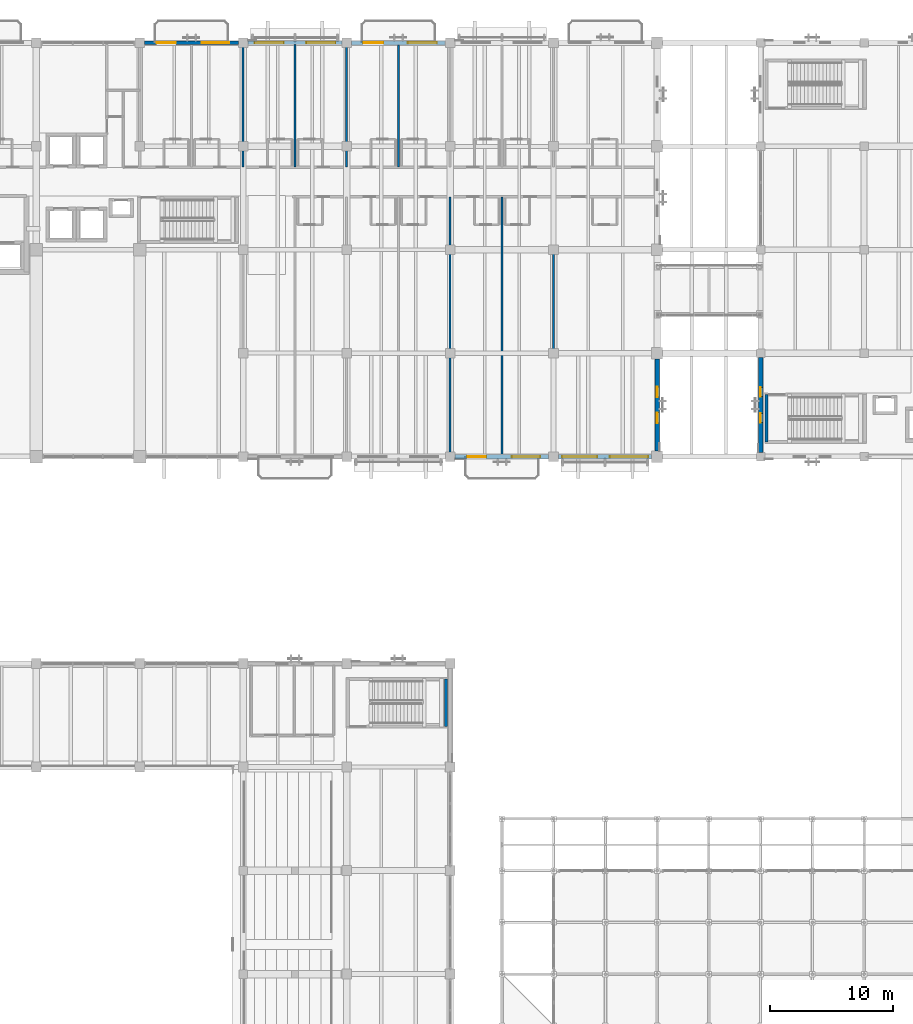
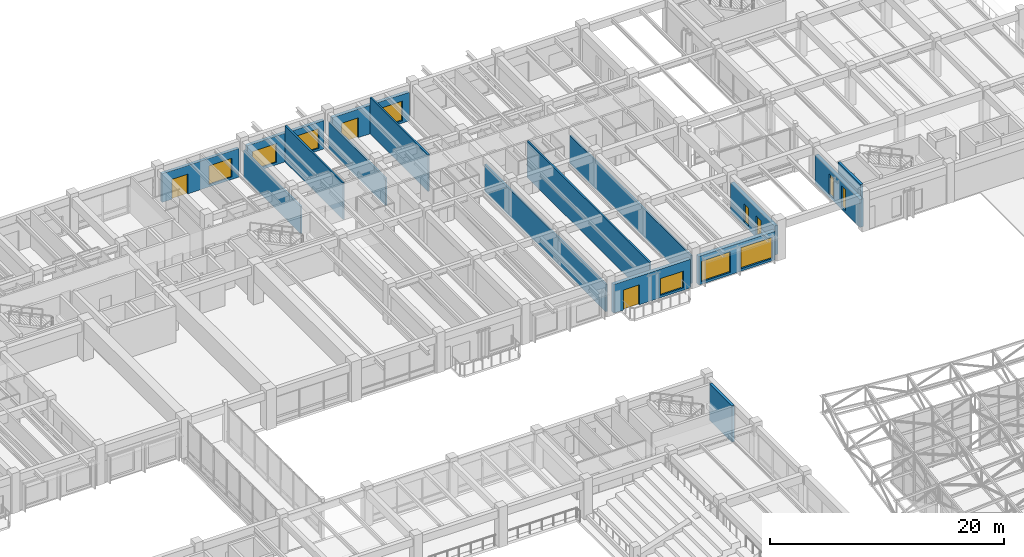
# One storey, part 90 of 132: 16 walls, 11 windows, 3 doors, 14 openings.
"""IFC4 building model written with IfcOpenShell, lengths in metres."""

from ifc_helpers import new_model, si_unit, direction, frame, frame_2d, origin, place, context, subcontext, project, spatial, rectangle, extrude, material, layer, layer_set, type_object, element, fill, save


model = new_model("IFC4")

# Units and contexts
model_context = context("Model", 3, precision=1e-05, world=origin(), true_north=direction((0.0, 1.0)))
body_context = subcontext(model_context, "Body", "Model", "MODEL_VIEW")
ifc_project = project(units=[si_unit("LENGTHUNIT", "METRE"), si_unit("AREAUNIT", "SQUARE_METRE"), si_unit("VOLUMEUNIT", "CUBIC_METRE"), si_unit("PLANEANGLEUNIT", "RADIAN"), si_unit("MASSUNIT", "GRAM", prefix="KILO")], contexts=[model_context])

# Site, building, storey
site_placement = place(None, origin())
site = spatial("IfcSite", under=ifc_project, at=site_placement, CompositionType="ELEMENT")
building_placement = place(site_placement, origin())
building = spatial("IfcBuilding", under=site, at=building_placement, Name="Cumbredor Promenade Congress Hotel", CompositionType="ELEMENT")
storey_placement = place(building_placement, frame((0.0, 0.0, 7.56005859375)))
storey = spatial("IfcBuildingStorey", under=building, at=storey_placement, Name="L02", CompositionType="ELEMENT", Elevation=7.56005859375)

# Wall, openings, door, window
ifc_material_1 = material(Name="Concrete C40/50", Category="concrete")
ifc_layer_1 = layer(ifc_material_1, 0.280029296875, Name="Concrete C40/50", Category="concrete")
ifc_layer_set_1 = layer_set([ifc_layer_1], Name="Concrete C40/50")
wall_type_1 = type_object("IfcWallType", Name="WL-EXT-280", PredefinedType="SOLIDWALL", material=ifc_layer_set_1)
wall_1_placement = place(storey_placement, frame((42.40087890625, 117.60009765625, 0.0), z_axis=(0.0, 0.0, 1.0), x_axis=(1.0, 0.0, 0.0)))
wall_1 = element("IfcWall", 1, at=wall_1_placement, inside=storey, type_object=wall_type_1, Name="L02 Stepped Congress Hotel Wing North Envelope Wall 6", PredefinedType="SOLIDWALL", context=body_context, shape_type="SweptSolid", body=[
    extrude(rectangle(XDim=7.59814453125, YDim=0.280029296875, at=frame_2d((3.799072265625, 0.0))), origin(), (0.0, 0.0, 1.0), 2.98486328125),
])
opening_1_placement = place(wall_1_placement, frame((0.97412109375, 0.0, 0.0)))
opening_1 = element("IfcOpeningElement", 2, at=opening_1_placement, cuts=wall_1, Name="Opening TD-01", PredefinedType="OPENING", context=body_context, shape_type="SweptSolid", body=[
    extrude(rectangle(XDim=1.550048828125, YDim=2.080078125, at=frame_2d((0.77490234375, 1.0400390625))), frame((0.0, 0.14990234375, 0.0), z_axis=(0.0, -1.0, 0.0), x_axis=(1.0, 0.0, 0.0)), (0.0, 0.0, 1.0), 0.300048828125),
])
opening_2_placement = place(wall_1_placement, frame((4.6240234375, 0.0, 0.25)))
opening_2 = element("IfcOpeningElement", 3, at=opening_2_placement, cuts=wall_1, Name="Opening WN-07", PredefinedType="OPENING", context=body_context, shape_type="SweptSolid", body=[
    extrude(rectangle(XDim=2.25, YDim=1.949951171875, at=frame_2d((1.125, 0.97509765625))), frame((0.0, 0.14990234375, 0.0), z_axis=(0.0, -1.0, 0.0), x_axis=(1.0, 0.0, 0.0)), (0.0, 0.0, 1.0), 0.300048828125),
])
ifc_material_2 = material(Name="Thermally broken anodized aluminium and laminated safety glass", Category="aluminium")
door_type_1 = type_object("IfcDoorType", Name="EXT-DR-TER-1550x2080", OperationType="DOUBLE_DOOR_SINGLE_SWING", PredefinedType="DOOR", material=ifc_material_2)
door_1_placement = place(opening_1_placement, origin())
door_1 = element("IfcDoor", 4, at=door_1_placement, inside=storey, type_object=door_type_1, Name="L02 Guestroom Veranda Balcony Door 039", OperationType="DOUBLE_DOOR_SINGLE_SWING", OverallHeight=2.080078125, OverallWidth=1.550048828125, PredefinedType="DOOR", context=body_context, shape_type="SweptSolid", body=[
    extrude(rectangle(XDim=1.550048828125, YDim=2.080078125, at=frame_2d((0.77490234375, 1.0400390625))), frame((0.0, 0.02490234375, 0.0), z_axis=(0.0, -1.0, 0.0), x_axis=(1.0, 0.0, 0.0)), (0.0, 0.0, 1.0), 0.050048828125),
])
fill(opening_1, door_1)
ifc_material_3 = material(Name="Thermally broken anodized aluminium and low-E glass", Category="aluminium")
window_type_1 = type_object("IfcWindowType", Name="Hospitality Floor-to-Ceiling Window WN-07 2250x1950", PartitioningType="DOUBLE_PANEL_VERTICAL", PredefinedType="WINDOW", material=ifc_material_3)
window_1_placement = place(opening_2_placement, origin())
window_1 = element("IfcWindow", 5, at=window_1_placement, inside=storey, type_object=window_type_1, Name="L02 Veranda Companion Floor-to-Ceiling Window 0315", OverallHeight=1.949951171875, OverallWidth=2.25, PartitioningType="DOUBLE_PANEL_VERTICAL", PredefinedType="WINDOW", context=body_context, shape_type="SweptSolid", body=[
    extrude(rectangle(XDim=2.25, YDim=1.949951171875, at=frame_2d((1.125, 0.97509765625))), frame((0.0, 0.030029296875, 0.0), z_axis=(0.0, -1.0, 0.0), x_axis=(1.0, 0.0, 0.0)), (0.0, 0.0, 1.0), 0.06005859375),
])
fill(opening_2, window_1)

# Wall, openings, windows
ifc_layer_2 = layer(ifc_material_1, 0.300048828125, Name="Concrete C40/50", Category="concrete")
ifc_layer_set_2 = layer_set([ifc_layer_2], Name="Concrete C40/50")
wall_type_2 = type_object("IfcWallType", Name="WL-EXT-300", PredefinedType="SOLIDWALL", material=ifc_layer_set_2)
wall_2_placement = place(storey_placement, frame((50.801025390625, 117.60009765625, 0.0), z_axis=(0.0, 0.0, 1.0), x_axis=(1.0, 0.0, 0.0)))
wall_2 = element("IfcWall", 6, at=wall_2_placement, inside=storey, type_object=wall_type_2, Name="L02 Stepped Congress Hotel Wing North Envelope Wall 7", PredefinedType="SOLIDWALL", context=body_context, shape_type="SweptSolid", body=[
    extrude(rectangle(XDim=7.597900390625, YDim=0.300048828125, at=frame_2d((3.798828125, 0.0))), origin(), (0.0, 0.0, 1.0), 2.98486328125),
])
opening_3_placement = place(wall_2_placement, frame((0.52392578125, 0.0, 0.25)))
opening_3 = element("IfcOpeningElement", 7, at=opening_3_placement, cuts=wall_2, Name="Opening WN-08", PredefinedType="OPENING", context=body_context, shape_type="SweptSolid", body=[
    extrude(rectangle(XDim=2.35009765625, YDim=1.949951171875, at=frame_2d((1.175048828125, 0.97509765625))), frame((0.0, 0.16015625, 0.0), z_axis=(0.0, -1.0, 0.0), x_axis=(1.0, 0.0, 0.0)), (0.0, 0.0, 1.0), 0.320068359375),
])
opening_4_placement = place(wall_2_placement, frame((4.72412109375, 0.0, 0.25)))
opening_4 = element("IfcOpeningElement", 8, at=opening_4_placement, cuts=wall_2, Name="Opening WN-14", PredefinedType="OPENING", context=body_context, shape_type="SweptSolid", body=[
    extrude(rectangle(XDim=2.35009765625, YDim=2.050048828125, at=frame_2d((1.175048828125, 1.02490234375))), frame((0.0, 0.16015625, 0.0), z_axis=(0.0, -1.0, 0.0), x_axis=(1.0, 0.0, 0.0)), (0.0, 0.0, 1.0), 0.320068359375),
])
window_type_2 = type_object("IfcWindowType", Name="Hospitality Floor-to-Ceiling Window WN-08 2350x1950", PartitioningType="DOUBLE_PANEL_VERTICAL", PredefinedType="WINDOW", material=ifc_material_3)
window_2_placement = place(opening_3_placement, origin())
window_2 = element("IfcWindow", 9, at=window_2_placement, inside=storey, type_object=window_type_2, Name="L02 Wide Hospitality Window 0316", OverallHeight=1.949951171875, OverallWidth=2.35009765625, PartitioningType="DOUBLE_PANEL_VERTICAL", PredefinedType="WINDOW", context=body_context, shape_type="SweptSolid", body=[
    extrude(rectangle(XDim=2.35009765625, YDim=1.949951171875, at=frame_2d((1.175048828125, 0.97509765625))), frame((0.0, 0.030029296875, 0.0), z_axis=(0.0, -1.0, 0.0), x_axis=(1.0, 0.0, 0.0)), (0.0, 0.0, 1.0), 0.06005859375),
])
fill(opening_3, window_2)
window_type_3 = type_object("IfcWindowType", Name="Hospitality Floor-to-Ceiling Window WN-14 2350x2050", PartitioningType="DOUBLE_PANEL_VERTICAL", PredefinedType="WINDOW", material=ifc_material_3)
window_3_placement = place(opening_4_placement, origin())
window_3 = element("IfcWindow", 10, at=window_3_placement, inside=storey, type_object=window_type_3, Name="L02 Wide Hospitality Window 0317", OverallHeight=2.050048828125, OverallWidth=2.35009765625, PartitioningType="DOUBLE_PANEL_VERTICAL", PredefinedType="WINDOW", context=body_context, shape_type="SweptSolid", body=[
    extrude(rectangle(XDim=2.35009765625, YDim=2.050048828125, at=frame_2d((1.175048828125, 1.02490234375))), frame((0.0, 0.030029296875, 0.0), z_axis=(0.0, -1.0, 0.0), x_axis=(1.0, 0.0, 0.0)), (0.0, 0.0, 1.0), 0.06005859375),
])
fill(opening_4, window_3)

# Wall, openings, door, window
ifc_layer_3 = layer(ifc_material_1, 0.324951171875, Name="Concrete C40/50", Category="concrete")
ifc_layer_set_3 = layer_set([ifc_layer_3], Name="Concrete C40/50")
wall_type_3 = type_object("IfcWallType", Name="WL-EXT-325", PredefinedType="SOLIDWALL", material=ifc_layer_set_3)
wall_3_placement = place(storey_placement, frame((59.200927734375, 117.60009765625, 0.0), z_axis=(0.0, 0.0, 1.0), x_axis=(1.0, 0.0, 0.0)))
wall_3 = element("IfcWall", 11, at=wall_3_placement, inside=storey, type_object=wall_type_3, Name="L02 Stepped Congress Hotel Wing North Envelope Wall 8", PredefinedType="SOLIDWALL", context=body_context, shape_type="SweptSolid", body=[
    extrude(rectangle(XDim=7.59814453125, YDim=0.324951171875, at=frame_2d((3.799072265625, 0.0))), origin(), (0.0, 0.0, 1.0), 2.98486328125),
])
opening_5_placement = place(wall_3_placement, frame((0.924072265625, 0.0, 0.0)))
opening_5 = element("IfcOpeningElement", 12, at=opening_5_placement, cuts=wall_3, Name="Opening TD-02", PredefinedType="OPENING", context=body_context, shape_type="SweptSolid", body=[
    extrude(rectangle(XDim=1.64990234375, YDim=2.080078125, at=frame_2d((0.824951171875, 1.0400390625))), frame((0.0, 0.17236328125, 0.0), z_axis=(0.0, -1.0, 0.0), x_axis=(1.0, 0.0, 0.0)), (0.0, 0.0, 1.0), 0.344970703125),
])
opening_6_placement = place(wall_3_placement, frame((4.573974609375, 0.0, 0.25)))
opening_6 = element("IfcOpeningElement", 13, at=opening_6_placement, cuts=wall_3, Name="Opening WN-14", PredefinedType="OPENING", context=body_context, shape_type="SweptSolid", body=[
    extrude(rectangle(XDim=2.35009765625, YDim=2.050048828125, at=frame_2d((1.175048828125, 1.02490234375))), frame((0.0, 0.17236328125, 0.0), z_axis=(0.0, -1.0, 0.0), x_axis=(1.0, 0.0, 0.0)), (0.0, 0.0, 1.0), 0.344970703125),
])
door_type_2 = type_object("IfcDoorType", Name="EXT-DR-TER-1650x2080", OperationType="DOUBLE_DOOR_SINGLE_SWING", PredefinedType="DOOR", material=ifc_material_2)
door_2_placement = place(opening_5_placement, origin())
door_2 = element("IfcDoor", 14, at=door_2_placement, inside=storey, type_object=door_type_2, Name="L02 Guestroom Veranda Balcony Door 040", OperationType="DOUBLE_DOOR_SINGLE_SWING", OverallHeight=2.080078125, OverallWidth=1.64990234375, PredefinedType="DOOR", context=body_context, shape_type="SweptSolid", body=[
    extrude(rectangle(XDim=1.64990234375, YDim=2.080078125, at=frame_2d((0.824951171875, 1.0400390625))), frame((0.0, 0.02490234375, 0.0), z_axis=(0.0, -1.0, 0.0), x_axis=(1.0, 0.0, 0.0)), (0.0, 0.0, 1.0), 0.050048828125),
])
fill(opening_5, door_2)
window_4_placement = place(opening_6_placement, origin())
window_4 = element("IfcWindow", 15, at=window_4_placement, inside=storey, type_object=window_type_3, Name="L02 Veranda Companion Floor-to-Ceiling Window 0318", OverallHeight=2.050048828125, OverallWidth=2.35009765625, PartitioningType="DOUBLE_PANEL_VERTICAL", PredefinedType="WINDOW", context=body_context, shape_type="SweptSolid", body=[
    extrude(rectangle(XDim=2.35009765625, YDim=2.050048828125, at=frame_2d((1.175048828125, 1.02490234375))), frame((0.0, 0.030029296875, 0.0), z_axis=(0.0, -1.0, 0.0), x_axis=(1.0, 0.0, 0.0)), (0.0, 0.0, 1.0), 0.06005859375),
])
fill(opening_6, window_4)

# Wall, openings, windows
ifc_layer_4 = layer(ifc_material_1, 0.35009765625, Name="Concrete C40/50", Category="concrete")
ifc_layer_set_4 = layer_set([ifc_layer_4], Name="Concrete C40/50")
wall_type_4 = type_object("IfcWallType", Name="WL-EXT-350", PredefinedType="SOLIDWALL", material=ifc_layer_set_4)
wall_4_placement = place(storey_placement, frame((92.39990234375, 84.35107421875, 0.0), z_axis=(0.0, 0.0, 1.0), x_axis=(0.0, 1.0, 0.0)))
wall_4 = element("IfcWall", 16, at=wall_4_placement, inside=storey, type_object=wall_type_4, Name="L02 Pre-Function and Breakout Meeting Forum West Envelope Wall 1", PredefinedType="SOLIDWALL", context=body_context, shape_type="SweptSolid", body=[
    extrude(rectangle(XDim=7.697998046875, YDim=0.35009765625, at=frame_2d((3.84912109375, 0.0))), origin(), (0.0, 0.0, 1.0), 2.93505859375),
])
opening_7_placement = place(wall_4_placement, frame((2.424072265625, 0.0, 0.300048828125)))
opening_7 = element("IfcOpeningElement", 17, at=opening_7_placement, cuts=wall_4, Name="Opening WN-57", PredefinedType="OPENING", context=body_context, shape_type="SweptSolid", body=[
    extrude(rectangle(XDim=0.75, YDim=2.14990234375, at=frame_2d((0.375, 1.074951171875))), frame((0.0, 0.18505859375, 0.0), z_axis=(0.0, -1.0, 0.0), x_axis=(1.0, 0.0, 0.0)), (0.0, 0.0, 1.0), 0.3701171875),
])
opening_8_placement = place(wall_4_placement, frame((4.52392578125, 0.0, 0.300048828125)))
opening_8 = element("IfcOpeningElement", 18, at=opening_8_placement, cuts=wall_4, Name="Opening WN-57", PredefinedType="OPENING", context=body_context, shape_type="SweptSolid", body=[
    extrude(rectangle(XDim=0.75, YDim=2.14990234375, at=frame_2d((0.375, 1.074951171875))), frame((0.0, 0.18505859375, 0.0), z_axis=(0.0, -1.0, 0.0), x_axis=(1.0, 0.0, 0.0)), (0.0, 0.0, 1.0), 0.3701171875),
])
window_type_4 = type_object("IfcWindowType", Name="Vertical Slot Window WN-57 750x2150", PartitioningType="SINGLE_PANEL", PredefinedType="WINDOW", material=ifc_material_3)
window_5_placement = place(opening_7_placement, origin())
window_5 = element("IfcWindow", 19, at=window_5_placement, inside=storey, type_object=window_type_4, Name="L02 Vertical Slot Window 0286", OverallHeight=2.14990234375, OverallWidth=0.75, PartitioningType="SINGLE_PANEL", PredefinedType="WINDOW", context=body_context, shape_type="SweptSolid", body=[
    extrude(rectangle(XDim=0.75, YDim=2.14990234375, at=frame_2d((0.375, 1.074951171875))), frame((0.0, 0.030029296875, 0.0), z_axis=(0.0, -1.0, 0.0), x_axis=(1.0, 0.0, 0.0)), (0.0, 0.0, 1.0), 0.06005859375),
])
fill(opening_7, window_5)
window_6_placement = place(opening_8_placement, origin())
window_6 = element("IfcWindow", 20, at=window_6_placement, inside=storey, type_object=window_type_4, Name="L02 Vertical Slot Window 0287", OverallHeight=2.14990234375, OverallWidth=0.75, PartitioningType="SINGLE_PANEL", PredefinedType="WINDOW", context=body_context, shape_type="SweptSolid", body=[
    extrude(rectangle(XDim=0.75, YDim=2.14990234375, at=frame_2d((0.375, 1.074951171875))), frame((0.0, 0.030029296875, 0.0), z_axis=(0.0, -1.0, 0.0), x_axis=(1.0, 0.0, 0.0)), (0.0, 0.0, 1.0), 0.06005859375),
])
fill(opening_8, window_6)

# Wall, openings, door, window
wall_5_placement = place(storey_placement, frame((67.60107421875, 84.0, 0.0), z_axis=(0.0, 0.0, 1.0), x_axis=(1.0, 0.0, 0.0)))
wall_5 = element("IfcWall", 21, at=wall_5_placement, inside=storey, type_object=wall_type_4, Name="L02 Stepped Congress Hotel Wing South Envelope Wall 9", PredefinedType="SOLIDWALL", context=body_context, shape_type="SweptSolid", body=[
    extrude(rectangle(XDim=7.597900390625, YDim=0.35009765625, at=frame_2d((3.798828125, 0.0))), origin(), (0.0, 0.0, 1.0), 2.98486328125),
])
opening_9_placement = place(wall_5_placement, frame((0.97412109375, 0.0, 0.0)))
opening_9 = element("IfcOpeningElement", 22, at=opening_9_placement, cuts=wall_5, Name="Opening TD-01", PredefinedType="OPENING", context=body_context, shape_type="SweptSolid", body=[
    extrude(rectangle(XDim=1.550048828125, YDim=2.080078125, at=frame_2d((0.77490234375, 1.0400390625))), frame((0.0, 0.18505859375, 0.0), z_axis=(0.0, -1.0, 0.0), x_axis=(1.0, 0.0, 0.0)), (0.0, 0.0, 1.0), 0.3701171875),
])
opening_10_placement = place(wall_5_placement, frame((4.59912109375, 0.0, 0.25)))
opening_10 = element("IfcOpeningElement", 23, at=opening_10_placement, cuts=wall_5, Name="Opening WN-25", PredefinedType="OPENING", context=body_context, shape_type="SweptSolid", body=[
    extrude(rectangle(XDim=2.300048828125, YDim=1.75, at=frame_2d((1.14990234375, 0.875))), frame((0.0, 0.18505859375, 0.0), z_axis=(0.0, -1.0, 0.0), x_axis=(1.0, 0.0, 0.0)), (0.0, 0.0, 1.0), 0.3701171875),
])
door_3_placement = place(opening_9_placement, frame((1.550048828125, 0.0, 0.0), z_axis=(0.0, 0.0, 1.0), x_axis=(-1.0, 0.0, 0.0)))
door_3 = element("IfcDoor", 24, at=door_3_placement, inside=storey, type_object=door_type_1, Name="L02 Guestroom Veranda Balcony Door 036", OperationType="DOUBLE_DOOR_SINGLE_SWING", OverallHeight=2.080078125, OverallWidth=1.550048828125, PredefinedType="DOOR", context=body_context, shape_type="SweptSolid", body=[
    extrude(rectangle(XDim=1.550048828125, YDim=2.080078125, at=frame_2d((0.77490234375, 1.0400390625))), frame((0.0, 0.02490234375, 0.0), z_axis=(0.0, -1.0, 0.0), x_axis=(1.0, 0.0, 0.0)), (0.0, 0.0, 1.0), 0.050048828125),
])
fill(opening_9, door_3)
window_type_5 = type_object("IfcWindowType", Name="Hospitality Floor-to-Ceiling Window WN-25 2300x1750", PartitioningType="DOUBLE_PANEL_VERTICAL", PredefinedType="WINDOW", material=ifc_material_3)
window_7_placement = place(opening_10_placement, origin())
window_7 = element("IfcWindow", 25, at=window_7_placement, inside=storey, type_object=window_type_5, Name="L02 Veranda Companion Floor-to-Ceiling Window 0306", OverallHeight=1.75, OverallWidth=2.300048828125, PartitioningType="DOUBLE_PANEL_VERTICAL", PredefinedType="WINDOW", context=body_context, shape_type="SweptSolid", body=[
    extrude(rectangle(XDim=2.300048828125, YDim=1.75, at=frame_2d((1.14990234375, 0.875))), frame((0.0, 0.030029296875, 0.0), z_axis=(0.0, -1.0, 0.0), x_axis=(1.0, 0.0, 0.0)), (0.0, 0.0, 1.0), 0.06005859375),
])
fill(opening_10, window_7)

# Wall, openings, windows
wall_6_placement = place(storey_placement, frame((84.0, 84.450927734375, 0.0), z_axis=(0.0, 0.0, 1.0), x_axis=(0.0, 1.0, 0.0)))
wall_6 = element("IfcWall", 26, at=wall_6_placement, inside=storey, type_object=wall_type_4, Name="L02 Stepped Congress Hotel Wing East Envelope Wall 1", PredefinedType="SOLIDWALL", context=body_context, shape_type="SweptSolid", body=[
    extrude(rectangle(XDim=7.498046875, YDim=0.35009765625, at=frame_2d((3.7490234375, 0.0))), origin(), (0.0, 0.0, 1.0), 3.034912109375),
])
opening_11_placement = place(wall_6_placement, frame((2.279052734375, 0.0, 0.300048828125)))
opening_11 = element("IfcOpeningElement", 27, at=opening_11_placement, cuts=wall_6, Name="Opening WN-51", PredefinedType="OPENING", context=body_context, shape_type="SweptSolid", body=[
    extrude(rectangle(XDim=0.840087890625, YDim=1.949951171875, at=frame_2d((0.419921875, 0.97509765625))), frame((0.0, 0.18505859375, 0.0), z_axis=(0.0, -1.0, 0.0), x_axis=(1.0, 0.0, 0.0)), (0.0, 0.0, 1.0), 0.3701171875),
])
opening_12_placement = place(wall_6_placement, frame((4.37890625, 0.0, 0.300048828125)))
opening_12 = element("IfcOpeningElement", 28, at=opening_12_placement, cuts=wall_6, Name="Opening WN-51", PredefinedType="OPENING", context=body_context, shape_type="SweptSolid", body=[
    extrude(rectangle(XDim=0.840087890625, YDim=1.949951171875, at=frame_2d((0.419921875, 0.97509765625))), frame((0.0, 0.18505859375, 0.0), z_axis=(0.0, -1.0, 0.0), x_axis=(1.0, 0.0, 0.0)), (0.0, 0.0, 1.0), 0.3701171875),
])
window_type_6 = type_object("IfcWindowType", Name="Vertical Slot Window WN-51 840x1950", PartitioningType="SINGLE_PANEL", PredefinedType="WINDOW", material=ifc_material_3)
window_8_placement = place(opening_11_placement, origin())
window_8 = element("IfcWindow", 29, at=window_8_placement, inside=storey, type_object=window_type_6, Name="L02 Vertical Slot Window 0330", OverallHeight=1.949951171875, OverallWidth=0.840087890625, PartitioningType="SINGLE_PANEL", PredefinedType="WINDOW", context=body_context, shape_type="SweptSolid", body=[
    extrude(rectangle(XDim=0.840087890625, YDim=1.949951171875, at=frame_2d((0.419921875, 0.97509765625))), frame((0.0, 0.030029296875, 0.0), z_axis=(0.0, -1.0, 0.0), x_axis=(1.0, 0.0, 0.0)), (0.0, 0.0, 1.0), 0.06005859375),
])
fill(opening_11, window_8)
window_9_placement = place(opening_12_placement, origin())
window_9 = element("IfcWindow", 30, at=window_9_placement, inside=storey, type_object=window_type_6, Name="L02 Vertical Slot Window 0331", OverallHeight=1.949951171875, OverallWidth=0.840087890625, PartitioningType="SINGLE_PANEL", PredefinedType="WINDOW", context=body_context, shape_type="SweptSolid", body=[
    extrude(rectangle(XDim=0.840087890625, YDim=1.949951171875, at=frame_2d((0.419921875, 0.97509765625))), frame((0.0, 0.030029296875, 0.0), z_axis=(0.0, -1.0, 0.0), x_axis=(1.0, 0.0, 0.0)), (0.0, 0.0, 1.0), 0.06005859375),
])
fill(opening_12, window_9)

ifc_layer_5 = layer(ifc_material_1, 0.3798828125, Name="Concrete C40/50", Category="concrete")
ifc_layer_set_5 = layer_set([ifc_layer_5], Name="Concrete C40/50")
wall_type_5 = type_object("IfcWallType", Name="WL-EXT-380", PredefinedType="SOLIDWALL", material=ifc_layer_set_5)
wall_7_placement = place(storey_placement, frame((76.0009765625, 84.0, 0.0), z_axis=(0.0, 0.0, 1.0), x_axis=(1.0, 0.0, 0.0)))
wall_7 = element("IfcWall", 31, at=wall_7_placement, inside=storey, type_object=wall_type_5, Name="L02 Stepped Congress Hotel Wing South Envelope Wall 10", PredefinedType="SOLIDWALL", context=body_context, shape_type="SweptSolid", body=[
    extrude(rectangle(XDim=7.548095703125, YDim=0.3798828125, at=frame_2d((3.77392578125, 0.0))), origin(), (0.0, 0.0, 1.0), 2.98486328125),
])
opening_13_placement = place(wall_7_placement, frame((0.280029296875, 0.0, 0.25)))
opening_13 = element("IfcOpeningElement", 32, at=opening_13_placement, cuts=wall_7, Name="Opening WN-30", PredefinedType="OPENING", context=body_context, shape_type="SweptSolid", body=[
    extrude(rectangle(XDim=2.85009765625, YDim=2.14990234375, at=frame_2d((1.425048828125, 1.074951171875))), frame((0.0, 0.199951171875, 0.0), z_axis=(0.0, -1.0, 0.0), x_axis=(1.0, 0.0, 0.0)), (0.0, 0.0, 1.0), 0.39990234375),
])
opening_14_placement = place(wall_7_placement, frame((4.16796875, 0.0, 0.25)))
opening_14 = element("IfcOpeningElement", 33, at=opening_14_placement, cuts=wall_7, Name="Opening WN-32", PredefinedType="OPENING", context=body_context, shape_type="SweptSolid", body=[
    extrude(rectangle(XDim=3.10009765625, YDim=2.199951171875, at=frame_2d((1.550048828125, 1.10009765625))), frame((0.0, 0.199951171875, 0.0), z_axis=(0.0, -1.0, 0.0), x_axis=(1.0, 0.0, 0.0)), (0.0, 0.0, 1.0), 0.39990234375),
])
window_type_7 = type_object("IfcWindowType", Name="Hospitality Floor-to-Ceiling Window WN-30 2850x2150", PartitioningType="DOUBLE_PANEL_VERTICAL", PredefinedType="WINDOW", material=ifc_material_3)
window_10_placement = place(opening_13_placement, origin())
window_10 = element("IfcWindow", 34, at=window_10_placement, inside=storey, type_object=window_type_7, Name="L02 Wide Hospitality Window 0307", OverallHeight=2.14990234375, OverallWidth=2.85009765625, PartitioningType="DOUBLE_PANEL_VERTICAL", PredefinedType="WINDOW", context=body_context, shape_type="SweptSolid", body=[
    extrude(rectangle(XDim=2.85009765625, YDim=2.14990234375, at=frame_2d((1.425048828125, 1.074951171875))), frame((0.0, 0.030029296875, 0.0), z_axis=(0.0, -1.0, 0.0), x_axis=(1.0, 0.0, 0.0)), (0.0, 0.0, 1.0), 0.06005859375),
])
fill(opening_13, window_10)
window_type_8 = type_object("IfcWindowType", Name="Hospitality Floor-to-Ceiling Window WN-32 3100x2200", PartitioningType="DOUBLE_PANEL_VERTICAL", PredefinedType="WINDOW", material=ifc_material_3)
window_11_placement = place(opening_14_placement, origin())
window_11 = element("IfcWindow", 35, at=window_11_placement, inside=storey, type_object=window_type_8, Name="L02 Wide Hospitality Window 0308", OverallHeight=2.199951171875, OverallWidth=3.10009765625, PartitioningType="DOUBLE_PANEL_VERTICAL", PredefinedType="WINDOW", context=body_context, shape_type="SweptSolid", body=[
    extrude(rectangle(XDim=3.10009765625, YDim=2.199951171875, at=frame_2d((1.550048828125, 1.10009765625))), frame((0.0, 0.030029296875, 0.0), z_axis=(0.0, -1.0, 0.0), x_axis=(1.0, 0.0, 0.0)), (0.0, 0.0, 1.0), 0.06005859375),
])
fill(opening_14, window_11)

# Walls
ifc_layer_6 = layer(ifc_material_1, 0.2548828125, Name="Concrete C40/50", Category="concrete")
ifc_layer_set_6 = layer_set([ifc_layer_6], Name="Concrete C40/50")
wall_type_6 = type_object("IfcWallType", Name="WL-SHAFT-250", PredefinedType="SOLIDWALL", material=ifc_layer_set_6)
wall_8_placement = place(storey_placement, frame((66.85009765625, 62.10009765625, 0.0), z_axis=(0.0, 0.0, 1.0), x_axis=(0.0, 1.0, 0.0)))
element("IfcWall", 36, at=wall_8_placement, inside=storey, type_object=wall_type_6, Name="STAIR-ST-07-L02 Shaft Wall East", PredefinedType="SOLIDWALL", context=body_context, shape_type="SweptSolid", body=[
    extrude(rectangle(XDim=3.849853515625, YDim=0.2548828125, at=frame_2d((1.9248046875, 0.0))), origin(), (0.0, 0.0, 1.0), 3.800048828125),
])
wall_9_placement = place(storey_placement, frame((92.8798828125, 85.179931640625, 0.0), z_axis=(0.0, 0.0, 1.0), x_axis=(0.0, 1.0, 0.0)))
element("IfcWall", 37, at=wall_9_placement, inside=storey, type_object=wall_type_6, Name="STAIR-ST-13-L02 Shaft Wall West", PredefinedType="SOLIDWALL", context=body_context, shape_type="SweptSolid", body=[
    extrude(rectangle(XDim=3.8701171875, YDim=0.2548828125, at=frame_2d((1.93505859375, 0.0))), origin(), (0.0, 0.0, 1.0), 3.800048828125),
])
ifc_material_4 = material(Name="Fire-rated acoustic double-stud partition")
ifc_layer_7 = layer(ifc_material_4, 0.1650390625, Name="Fire-rated acoustic double-stud partition")
ifc_layer_set_7 = layer_set([ifc_layer_7], Name="Fire-rated acoustic double-stud partition")
wall_type_7 = type_object("IfcWallType", Name="WL-UNIT-165", PredefinedType="PARTITIONING", material=ifc_layer_set_7)
wall_10_placement = place(storey_placement, frame((54.60009765625, 107.5, 0.0), z_axis=(0.0, 0.0, 1.0), x_axis=(0.0, 1.0, 0.0)))
element("IfcWall", 38, at=wall_10_placement, inside=storey, type_object=wall_type_7, Name="L02 Interior Partition W-L02-N-DIV-6-M", PredefinedType="PARTITIONING", context=body_context, shape_type="SweptSolid", body=[
    extrude(rectangle(XDim=9.949951171875, YDim=0.1650390625, at=frame_2d((4.97509765625, 0.0))), origin(), (0.0, 0.0, 1.0), 3.800048828125),
])
wall_11_placement = place(storey_placement, frame((50.39990234375, 107.5, 0.0), z_axis=(0.0, 0.0, 1.0), x_axis=(0.0, 1.0, 0.0)))
element("IfcWall", 39, at=wall_11_placement, inside=storey, type_object=wall_type_7, Name="L02 Interior Partition W-L02-N-DIV-6-G", PredefinedType="PARTITIONING", context=body_context, shape_type="SweptSolid", body=[
    extrude(rectangle(XDim=9.75, YDim=0.1650390625, at=frame_2d((4.875, 0.0))), origin(), (0.0, 0.0, 1.0), 2.8349609375),
])
wall_12_placement = place(storey_placement, frame((63.0, 107.5, 0.0), z_axis=(0.0, 0.0, 1.0), x_axis=(0.0, 1.0, 0.0)))
element("IfcWall", 40, at=wall_12_placement, inside=storey, type_object=wall_type_7, Name="L02 Interior Partition W-L02-N-DIV-7-M", PredefinedType="PARTITIONING", context=body_context, shape_type="SweptSolid", body=[
    extrude(rectangle(XDim=9.9375, YDim=0.1650390625, at=frame_2d((4.96875, 0.0))), origin(), (0.0, 0.0, 1.0), 3.800048828125),
])
wall_13_placement = place(storey_placement, frame((58.800048828125, 107.5, 0.0), z_axis=(0.0, 0.0, 1.0), x_axis=(0.0, 1.0, 0.0)))
element("IfcWall", 41, at=wall_13_placement, inside=storey, type_object=wall_type_7, Name="L02 Interior Partition W-L02-N-DIV-7-G", PredefinedType="PARTITIONING", context=body_context, shape_type="SweptSolid", body=[
    extrude(rectangle(XDim=9.75, YDim=0.1650390625, at=frame_2d((4.875, 0.0))), origin(), (0.0, 0.0, 1.0), 2.8349609375),
])
wall_14_placement = place(storey_placement, frame((71.39990234375, 84.175048828125, 0.0), z_axis=(0.0, 0.0, 1.0), x_axis=(0.0, 1.0, 0.0)))
element("IfcWall", 42, at=wall_14_placement, inside=storey, type_object=wall_type_7, Name="L02 Interior Partition W-L02-SE-DIV-2-M", PredefinedType="PARTITIONING", context=body_context, shape_type="SweptSolid", body=[
    extrude(rectangle(XDim=20.925048828125, YDim=0.1650390625, at=frame_2d((10.46240234375, 0.0))), origin(), (0.0, 0.0, 1.0), 3.800048828125),
])
wall_15_placement = place(storey_placement, frame((67.199951171875, 84.35009765625, 0.0), z_axis=(0.0, 0.0, 1.0), x_axis=(0.0, 1.0, 0.0)))
element("IfcWall", 43, at=wall_15_placement, inside=storey, type_object=wall_type_7, Name="L02 Interior Partition W-L02-SE-DIV-2-G", PredefinedType="PARTITIONING", context=body_context, shape_type="SweptSolid", body=[
    extrude(rectangle(XDim=20.75, YDim=0.1650390625, at=frame_2d((10.375, 0.0))), origin(), (0.0, 0.0, 1.0), 2.8349609375),
])
wall_16_placement = place(storey_placement, frame((75.60009765625, 84.35009765625, 0.0), z_axis=(0.0, 0.0, 1.0), x_axis=(0.0, 1.0, 0.0)))
element("IfcWall", 44, at=wall_16_placement, inside=storey, type_object=wall_type_7, Name="L02 Interior Partition W-L02-SE-DIV-3-G", PredefinedType="PARTITIONING", context=body_context, shape_type="SweptSolid", body=[
    extrude(rectangle(XDim=20.75, YDim=0.1650390625, at=frame_2d((10.375, 0.0))), origin(), (0.0, 0.0, 1.0), 2.93505859375),
])

save(model, "model.ifc")
